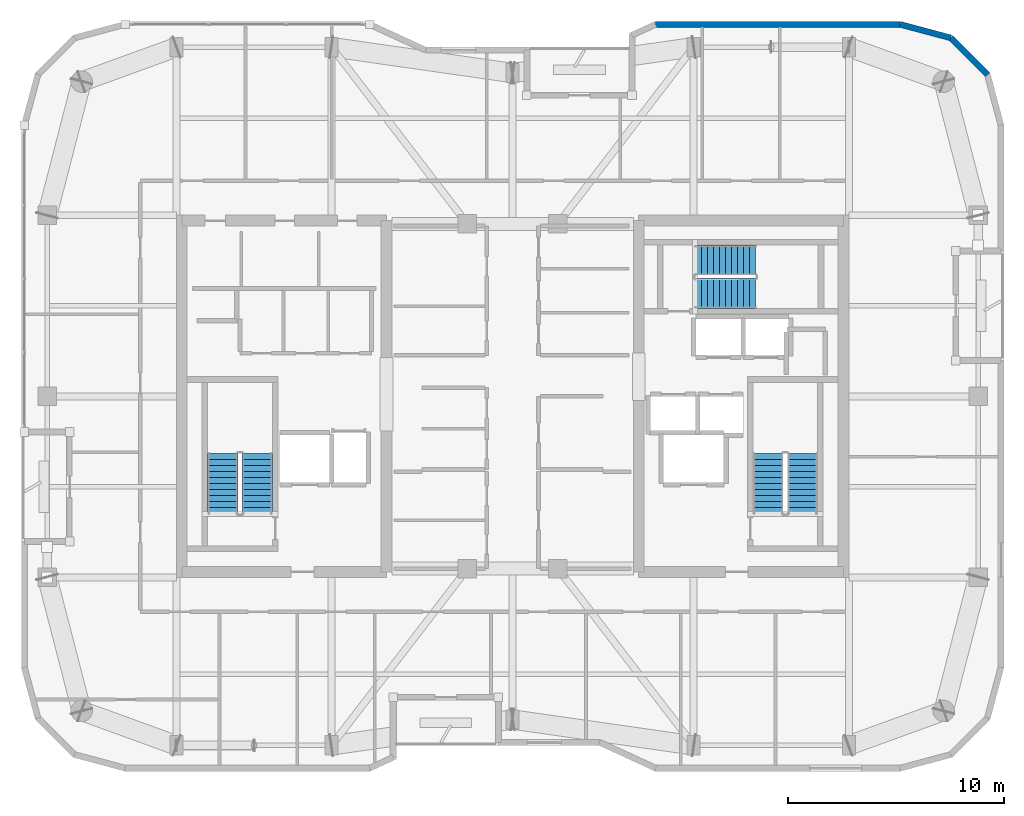
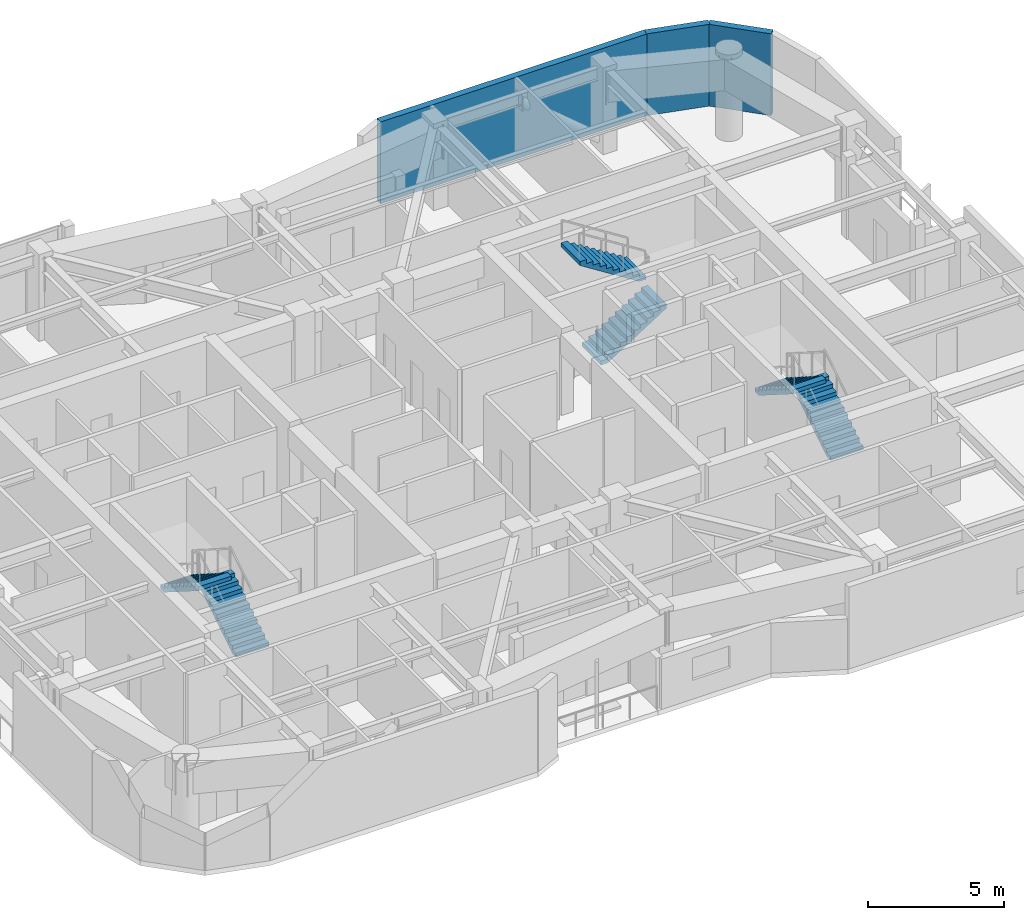
# One storey, part 14 of 16: 6 stair flights, 3 walls, 3 elements without a shape of their own.
"""IFC4 building model written with IfcOpenShell, lengths in metres."""

from ifc_helpers import new_model, si_unit, direction, frame, frame_2d, origin, place, context, subcontext, project, spatial, polyline, rectangle, outline, extrude, material, layer, layer_set, type_object, element, aggregate, save


model = new_model("IFC4")

# Units and contexts
model_context = context("Model", 3, precision=1e-05, world=origin(), true_north=direction((0.0, 1.0)))
body_context = subcontext(model_context, "Body", "Model", "MODEL_VIEW")
ifc_project = project(units=[si_unit("LENGTHUNIT", "METRE"), si_unit("AREAUNIT", "SQUARE_METRE"), si_unit("VOLUMEUNIT", "CUBIC_METRE"), si_unit("PLANEANGLEUNIT", "RADIAN"), si_unit("MASSUNIT", "GRAM", prefix="KILO")], contexts=[model_context])

# Site, building, storey
site_placement = place(None, origin())
site = spatial("IfcSite", under=ifc_project, at=site_placement, CompositionType="ELEMENT")
building_placement = place(site_placement, origin())
building = spatial("IfcBuilding", under=site, at=building_placement, Name="Kiyonajd Concourse Tower", CompositionType="ELEMENT")
storey_placement = place(building_placement, frame((0.0, 0.0, 302.39990234375)))
storey = spatial("IfcBuildingStorey", under=building, at=storey_placement, Name="L76", CompositionType="ELEMENT", Elevation=302.39990234375)

# Walls
ifc_material_1 = material(Name="Precast concrete C50/60", Category="concrete")
ifc_layer = layer(ifc_material_1, 0.280029296875)
ifc_layer_set = layer_set([ifc_layer], Name="Precast concrete C50/60")
wall_type = type_object("IfcWallType", Name="WL-EXT-280", PredefinedType="SOLIDWALL", material=ifc_layer_set)
wall_1_placement = place(storey_placement, frame((54.630859375, 53.260009765625, 0.0), z_axis=(0.0, 0.0, 1.0), x_axis=(1.0, 0.0, 0.0)))
element("IfcWall", 1, at=wall_1_placement, inside=storey, type_object=wall_type, Name="L76 Exterior Concrete Frame Wall 16", PredefinedType="SOLIDWALL", context=body_context, shape_type="SweptSolid", body=[
    extrude(rectangle(XDim=11.350830078125, YDim=0.280029296875, at=frame_2d((5.67529296875, 0.0))), origin(), (0.0, 0.0, 1.0), 3.68017578125),
])
wall_2_placement = place(storey_placement, frame((65.981689453125, 53.260009765625, 0.0), z_axis=(0.0, 0.0, 1.0), x_axis=(0.965937282298, -0.25877628691, 0.0)))
element("IfcWall", 2, at=wall_2_placement, inside=storey, type_object=wall_type, Name="L76 Exterior Concrete Frame Wall 17", PredefinedType="SOLIDWALL", context=body_context, shape_type="SweptSolid", body=[
    extrude(rectangle(XDim=2.428466796875, YDim=0.280029296875, at=frame_2d((1.21435546875, 0.0))), origin(), (0.0, 0.0, 1.0), 3.68017578125),
])
wall_3_placement = place(storey_placement, frame((68.327392578125, 52.631591796875, 0.0), z_axis=(0.0, 0.0, 1.0), x_axis=(0.707106781187, -0.707106781187, 0.0)))
element("IfcWall", 3, at=wall_3_placement, inside=storey, type_object=wall_type, Name="L76 Exterior Concrete Frame Wall 18", PredefinedType="SOLIDWALL", context=body_context, shape_type="SweptSolid", body=[
    extrude(rectangle(XDim=2.409912109375, YDim=0.280029296875, at=frame_2d((1.205078125, 0.0))), origin(), (0.0, 0.0, 1.0), 3.68017578125),
])

# Stair, stair flights
ifc_material_2 = material(Name="Concrete C40/50", Category="concrete")
stair_type = type_object("IfcStairType", Name="ST-DLG-22R", PredefinedType="HALF_TURN_STAIR", material=ifc_material_2)
stair_1_placement = place(storey_placement, origin())
stair_1 = element("IfcStair", 4, at=stair_1_placement, inside=storey, type_object=stair_type, Name="L76 Protected Exit Stair ST1", PredefinedType="HALF_TURN_STAIR")
stair_flight_type = type_object("IfcStairFlightType", Name="SF-STR-22R", PredefinedType="STRAIGHT", material=ifc_material_2)
stair_flight_1_placement = place(storey_placement, frame((36.14990234375, 30.550048828125, 0.0), z_axis=(0.0, 0.0, 1.0), x_axis=(0.0, 1.0, 0.0)))
stair_flight_1 = element("IfcStairFlight", 5, at=stair_flight_1_placement, type_object=stair_flight_type, Name="ST1 flight 1", NumberOfRisers=11, NumberOfTreads=10, PredefinedType="STRAIGHT", RiserHeight=0.177272727, TreadLength=0.28, context=body_context, shape_type="SweptSolid", body=[
    extrude(outline(polyline([(0.0, 0.0), (0.0, 0.17724609375), (0.280029296875, 0.17724609375), (0.280029296875, 0.3544921875), (0.56005859375, 0.3544921875), (0.56005859375, 0.53173828125), (0.840087890625, 0.53173828125), (0.840087890625, 0.708984375), (1.1201171875, 0.708984375), (1.1201171875, 0.886474609375), (1.39990234375, 0.886474609375), (1.39990234375, 1.063720703125), (1.679931640625, 1.063720703125), (1.679931640625, 1.240966796875), (1.9599609375, 1.240966796875), (1.9599609375, 1.418212890625), (2.239990234375, 1.418212890625), (2.239990234375, 1.595458984375), (2.52001953125, 1.595458984375), (2.52001953125, 1.772705078125), (2.800048828125, 1.772705078125), (2.800048828125, 1.949951171875), (2.800048828125, 1.59521484375), (0.2802734375, 0.0), (0.0, 0.0)])), frame((0.0, 0.699951171875, 0.0), z_axis=(0.0, -1.0, 0.0), x_axis=(1.0, 0.0, 0.0)), (0.0, 0.0, 1.0), 1.39990234375),
])
stair_flight_2_placement = place(storey_placement, frame((34.550048828125, 33.35009765625, 1.9501953125), z_axis=(0.0, 0.0, 1.0), x_axis=(0.0, -1.0, 0.0)))
stair_flight_2 = element("IfcStairFlight", 6, at=stair_flight_2_placement, type_object=stair_flight_type, Name="ST1 flight 2", NumberOfRisers=11, NumberOfTreads=10, PredefinedType="STRAIGHT", RiserHeight=0.177272727, TreadLength=0.28, context=body_context, shape_type="SweptSolid", body=[
    extrude(outline(polyline([(0.0, 0.0), (0.0, 0.17724609375), (0.280029296875, 0.17724609375), (0.280029296875, 0.3544921875), (0.56005859375, 0.3544921875), (0.56005859375, 0.53173828125), (0.840087890625, 0.53173828125), (0.840087890625, 0.708984375), (1.1201171875, 0.708984375), (1.1201171875, 0.886474609375), (1.39990234375, 0.886474609375), (1.39990234375, 1.063720703125), (1.679931640625, 1.063720703125), (1.679931640625, 1.240966796875), (1.9599609375, 1.240966796875), (1.9599609375, 1.418212890625), (2.239990234375, 1.418212890625), (2.239990234375, 1.595458984375), (2.52001953125, 1.595458984375), (2.52001953125, 1.772705078125), (2.800048828125, 1.772705078125), (2.800048828125, 1.949951171875), (2.800048828125, 1.59521484375), (0.2802734375, 0.0), (0.0, 0.0)])), frame((0.0, 0.699951171875, 0.0), z_axis=(0.0, -1.0, 0.0), x_axis=(1.0, 0.0, 0.0)), (0.0, 0.0, 1.0), 1.39990234375),
])
aggregate(stair_1, [stair_flight_1, stair_flight_2])

stair_2_placement = place(storey_placement, origin())
stair_2 = element("IfcStair", 7, at=stair_2_placement, inside=storey, type_object=stair_type, Name="L76 Protected Exit Stair ST2", PredefinedType="HALF_TURN_STAIR")
stair_flight_3_placement = place(storey_placement, frame((61.449951171875, 30.550048828125, 0.0), z_axis=(0.0, 0.0, 1.0), x_axis=(0.0, 1.0, 0.0)))
stair_flight_3 = element("IfcStairFlight", 8, at=stair_flight_3_placement, type_object=stair_flight_type, Name="ST2 flight 1", NumberOfRisers=11, NumberOfTreads=10, PredefinedType="STRAIGHT", RiserHeight=0.177272727, TreadLength=0.28, context=body_context, shape_type="SweptSolid", body=[
    extrude(outline(polyline([(0.0, 0.0), (0.0, 0.17724609375), (0.280029296875, 0.17724609375), (0.280029296875, 0.3544921875), (0.56005859375, 0.3544921875), (0.56005859375, 0.53173828125), (0.840087890625, 0.53173828125), (0.840087890625, 0.708984375), (1.1201171875, 0.708984375), (1.1201171875, 0.886474609375), (1.39990234375, 0.886474609375), (1.39990234375, 1.063720703125), (1.679931640625, 1.063720703125), (1.679931640625, 1.240966796875), (1.9599609375, 1.240966796875), (1.9599609375, 1.418212890625), (2.239990234375, 1.418212890625), (2.239990234375, 1.595458984375), (2.52001953125, 1.595458984375), (2.52001953125, 1.772705078125), (2.800048828125, 1.772705078125), (2.800048828125, 1.949951171875), (2.800048828125, 1.59521484375), (0.2802734375, 0.0), (0.0, 0.0)])), frame((0.0, 0.699951171875, 0.0), z_axis=(0.0, -1.0, 0.0), x_axis=(1.0, 0.0, 0.0)), (0.0, 0.0, 1.0), 1.39990234375),
])
stair_flight_4_placement = place(storey_placement, frame((59.85009765625, 33.35009765625, 1.9501953125), z_axis=(0.0, 0.0, 1.0), x_axis=(0.0, -1.0, 0.0)))
stair_flight_4 = element("IfcStairFlight", 9, at=stair_flight_4_placement, type_object=stair_flight_type, Name="ST2 flight 2", NumberOfRisers=11, NumberOfTreads=10, PredefinedType="STRAIGHT", RiserHeight=0.177272727, TreadLength=0.28, context=body_context, shape_type="SweptSolid", body=[
    extrude(outline(polyline([(0.0, 0.0), (0.0, 0.17724609375), (0.280029296875, 0.17724609375), (0.280029296875, 0.3544921875), (0.56005859375, 0.3544921875), (0.56005859375, 0.53173828125), (0.840087890625, 0.53173828125), (0.840087890625, 0.708984375), (1.1201171875, 0.708984375), (1.1201171875, 0.886474609375), (1.39990234375, 0.886474609375), (1.39990234375, 1.063720703125), (1.679931640625, 1.063720703125), (1.679931640625, 1.240966796875), (1.9599609375, 1.240966796875), (1.9599609375, 1.418212890625), (2.239990234375, 1.418212890625), (2.239990234375, 1.595458984375), (2.52001953125, 1.595458984375), (2.52001953125, 1.772705078125), (2.800048828125, 1.772705078125), (2.800048828125, 1.949951171875), (2.800048828125, 1.59521484375), (0.2802734375, 0.0), (0.0, 0.0)])), frame((0.0, 0.699951171875, 0.0), z_axis=(0.0, -1.0, 0.0), x_axis=(1.0, 0.0, 0.0)), (0.0, 0.0, 1.0), 1.39990234375),
])
aggregate(stair_2, [stair_flight_3, stair_flight_4])

stair_3_placement = place(storey_placement, origin())
stair_3 = element("IfcStair", 10, at=stair_3_placement, inside=storey, type_object=stair_type, Name="L76 Protected Exit Stair ST3", PredefinedType="HALF_TURN_STAIR")
stair_flight_5_placement = place(storey_placement, frame((56.47998046875, 40.780029296875, 0.0), z_axis=(0.0, 0.0, 1.0), x_axis=(1.0, 0.0, 0.0)))
stair_flight_5 = element("IfcStairFlight", 11, at=stair_flight_5_placement, type_object=stair_flight_type, Name="ST3 flight 1", NumberOfRisers=11, NumberOfTreads=10, PredefinedType="STRAIGHT", RiserHeight=0.177272727, TreadLength=0.28, context=body_context, shape_type="SweptSolid", body=[
    extrude(outline(polyline([(0.0, 0.0), (0.0, 0.17724609375), (0.280029296875, 0.17724609375), (0.280029296875, 0.3544921875), (0.56005859375, 0.3544921875), (0.56005859375, 0.53173828125), (0.840087890625, 0.53173828125), (0.840087890625, 0.708984375), (1.1201171875, 0.708984375), (1.1201171875, 0.886474609375), (1.39990234375, 0.886474609375), (1.39990234375, 1.063720703125), (1.679931640625, 1.063720703125), (1.679931640625, 1.240966796875), (1.9599609375, 1.240966796875), (1.9599609375, 1.418212890625), (2.239990234375, 1.418212890625), (2.239990234375, 1.595458984375), (2.52001953125, 1.595458984375), (2.52001953125, 1.772705078125), (2.800048828125, 1.772705078125), (2.800048828125, 1.949951171875), (2.800048828125, 1.59521484375), (0.2802734375, 0.0), (0.0, 0.0)])), frame((0.0, 0.699951171875, 0.0), z_axis=(0.0, -1.0, 0.0), x_axis=(1.0, 0.0, 0.0)), (0.0, 0.0, 1.0), 1.39990234375),
])
stair_flight_6_placement = place(storey_placement, frame((59.280029296875, 42.320068359375, 1.9501953125), z_axis=(0.0, 0.0, 1.0), x_axis=(-1.0, 0.0, 0.0)))
stair_flight_6 = element("IfcStairFlight", 12, at=stair_flight_6_placement, type_object=stair_flight_type, Name="ST3 flight 2", NumberOfRisers=11, NumberOfTreads=10, PredefinedType="STRAIGHT", RiserHeight=0.177272727, TreadLength=0.28, context=body_context, shape_type="SweptSolid", body=[
    extrude(outline(polyline([(0.0, 0.0), (0.0, 0.17724609375), (0.280029296875, 0.17724609375), (0.280029296875, 0.3544921875), (0.56005859375, 0.3544921875), (0.56005859375, 0.53173828125), (0.840087890625, 0.53173828125), (0.840087890625, 0.708984375), (1.1201171875, 0.708984375), (1.1201171875, 0.886474609375), (1.39990234375, 0.886474609375), (1.39990234375, 1.063720703125), (1.679931640625, 1.063720703125), (1.679931640625, 1.240966796875), (1.9599609375, 1.240966796875), (1.9599609375, 1.418212890625), (2.239990234375, 1.418212890625), (2.239990234375, 1.595458984375), (2.52001953125, 1.595458984375), (2.52001953125, 1.772705078125), (2.800048828125, 1.772705078125), (2.800048828125, 1.949951171875), (2.800048828125, 1.59521484375), (0.2802734375, 0.0), (0.0, 0.0)])), frame((0.0, 0.699951171875, 0.0), z_axis=(0.0, -1.0, 0.0), x_axis=(1.0, 0.0, 0.0)), (0.0, 0.0, 1.0), 1.39990234375),
])
aggregate(stair_3, [stair_flight_5, stair_flight_6])

save(model, "model.ifc")
